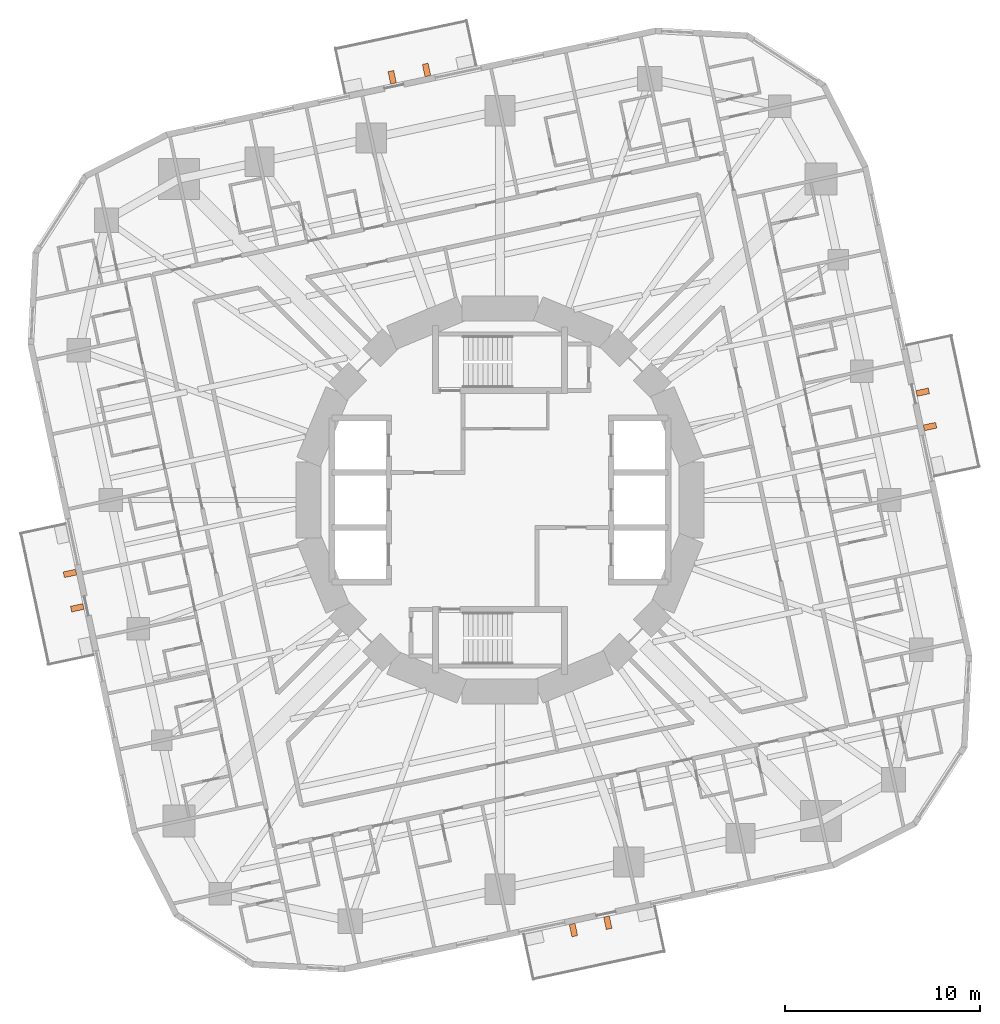
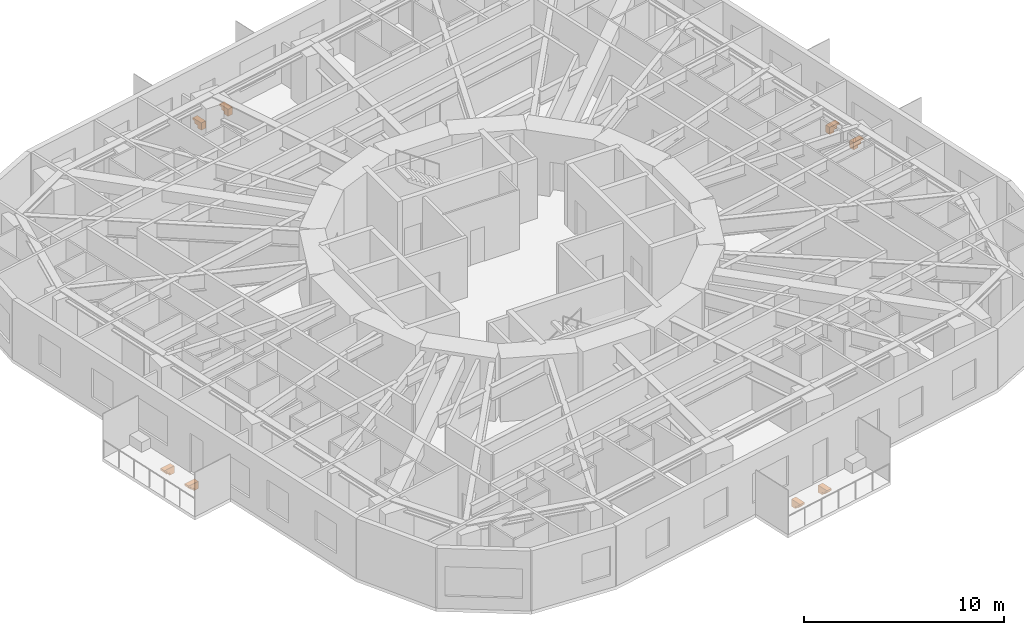
# One storey, part 13 of 13: 8 proxies.
"""IFC4 building model written with IfcOpenShell, lengths in metres."""

from ifc_helpers import new_model, si_unit, direction, frame, origin, place, context, subcontext, project, spatial, polyline, outline, extrude, material, type_object, element, save


model = new_model("IFC4")

# Units and contexts
model_context = context("Model", 3, precision=1e-05, world=origin(), true_north=direction((0.0, 1.0)))
body_context = subcontext(model_context, "Body", "Model", "MODEL_VIEW")
ifc_project = project(units=[si_unit("LENGTHUNIT", "METRE"), si_unit("AREAUNIT", "SQUARE_METRE"), si_unit("VOLUMEUNIT", "CUBIC_METRE"), si_unit("PLANEANGLEUNIT", "RADIAN"), si_unit("MASSUNIT", "GRAM", prefix="KILO")], contexts=[model_context])

# Site, building, storey
site_placement = place(None, origin())
site = spatial("IfcSite", under=ifc_project, at=site_placement, CompositionType="ELEMENT")
building_placement = place(site_placement, origin())
building = spatial("IfcBuilding", under=site, at=building_placement, Name="Nakasero Lantern House", CompositionType="ELEMENT")
storey_placement = place(building_placement, frame((0.0, 0.0, 131.949951171875)))
storey = spatial("IfcBuildingStorey", under=building, at=storey_placement, Name="L32", CompositionType="ELEMENT", Elevation=131.949951171875)

# Proxies
ifc_material = material(Name="Concrete C40/50 precast", Category="concrete")
building_element_proxy_type = type_object("IfcBuildingElementProxyType", Name="Balcony bracket 300", PredefinedType="USERDEFINED", material=ifc_material)
for number, where, z_axis, x_axis, name in (
    (1, (21.706298828125, 3.693603515625, -0.199951171875), (0.0, 0.0, 1.0), (0.978147601, 0.207911691, 0.0), "Balcony bracket L32 0A"),
    (2, (21.33203125, 5.454345703125, -0.199951171875), (0.0, 0.0, 1.0), (0.978147601, 0.207911691, 0.0), "Balcony bracket L32 0B"),
    (3, (-3.693603515625, 21.706298828125, -0.199951171875), (0.0, 0.0, 1.0), (-0.207911691, 0.978147601, 0.0), "Balcony bracket L32 1A"),
    (4, (-5.454345703125, 21.33203125, -0.199951171875), (0.0, 0.0, 1.0), (-0.207911691, 0.978147601, 0.0), "Balcony bracket L32 1B"),
    (5, (-21.706298828125, -3.693603515625, -0.199951171875), (0.0, 0.0, 1.0), (-0.978147601, -0.207911691, 0.0), "Balcony bracket L32 2A"),
    (6, (-21.33203125, -5.454345703125, -0.199951171875), (0.0, 0.0, 1.0), (-0.978147601, -0.207911691, 0.0), "Balcony bracket L32 2B"),
    (7, (3.693603515625, -21.706298828125, -0.199951171875), (0.0, 0.0, 1.0), (0.207911691, -0.978147601, 0.0), "Balcony bracket L32 3A"),
    (8, (5.454345703125, -21.33203125, -0.199951171875), (0.0, 0.0, 1.0), (0.207911691, -0.978147601, 0.0), "Balcony bracket L32 3B"),
):
    element("IfcBuildingElementProxy", number, at=place(storey_placement, frame(where, z_axis=z_axis, x_axis=x_axis)), inside=storey, type_object=building_element_proxy_type, Name=name, ObjectType="BALCONY BRACKET", PredefinedType="USERDEFINED", context=body_context, shape_type="SweptSolid", body=[
        extrude(outline(polyline([(0.0, 0.0), (0.64990234375, 0.0), (0.64990234375, -0.1201171875), (0.5, -0.1201171875), (0.5, -0.280029296875), (0.300048828125, -0.280029296875), (0.300048828125, -0.43994140625), (0.0, -0.43994140625), (0.0, 0.0)])), frame((0.0, 0.14990234375, 0.0), z_axis=(0.0, -1.0, 0.0), x_axis=(1.0, 0.0, 0.0)), (0.0, 0.0, 1.0), 0.300048828125),
    ])

save(model, "model.ifc")
